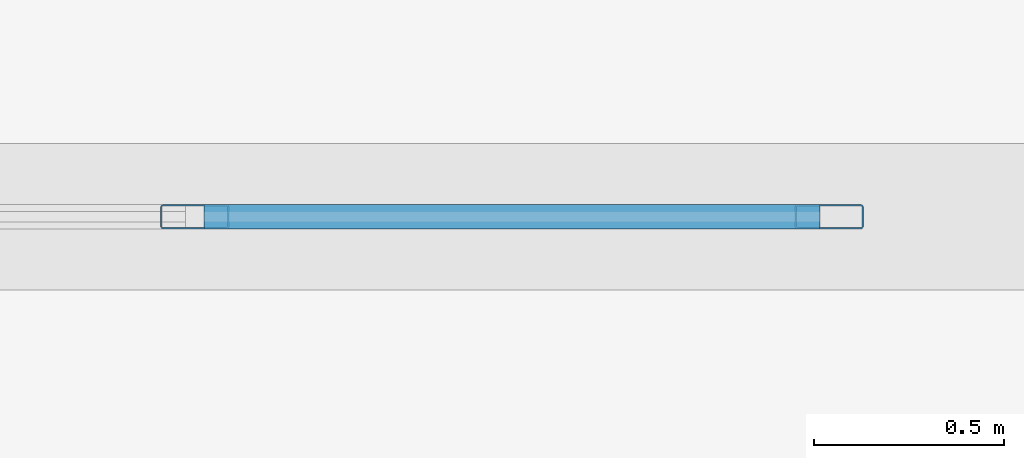
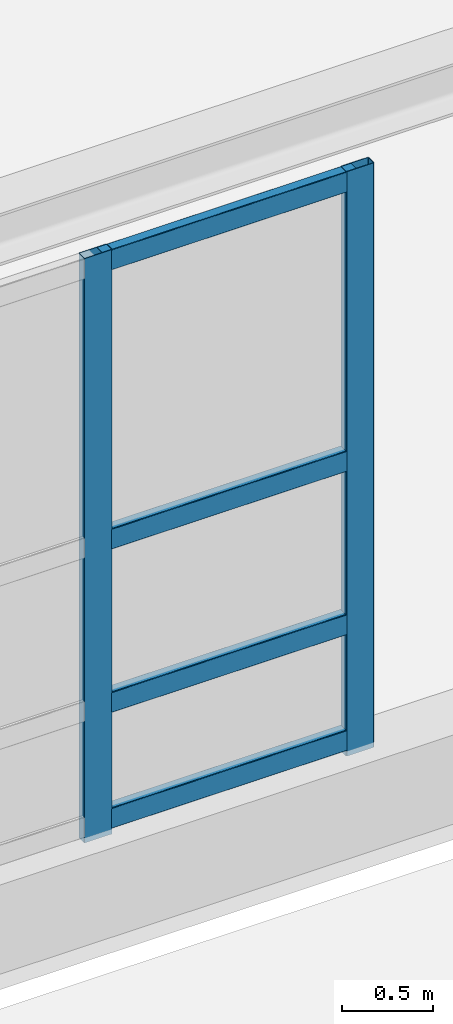
# One storey, part 59 of 197: 6 members, 1 element without a shape of its own.
"""IFC4 building model written with IfcOpenShell, lengths in metres."""

import ifcopenshell
import ifcopenshell.guid

model = None  # the IFC model being written
_history = None  # IfcOwnerHistory: only IFC2X3 demands one
_inside = {}  # id of a spatial element -> (the spatial element, [elements in it])
_under = {}  # id of a project, library or spatial element -> (it, [spatial elements below it])
_declared = {}  # id of a project -> (the project, [libraries it declares])
_typed = {}  # id of a type object -> (the type object, [elements of that type])
_made_of = {}  # id of a material, layer set ... -> (it, [elements and type objects made of it])


def new_model(schema):
    """Start an empty IFC model of exactly this schema.

    Asked for "IFC4X3", IfcOpenShell would pick the latest addendum, in which some entities
    have other attributes; the version numbers below select the first issue.
    IFC2X3 requires an IfcOwnerHistory on every rooted entity: one is made here for all.
    """
    global model, _history
    if schema == "IFC4X3":
        model = ifcopenshell.file(schema_version=(4, 3, 0, 0))
    else:
        model = ifcopenshell.file(schema=schema)
    _inside.clear()
    _under.clear()
    _declared.clear()
    _typed.clear()
    _made_of.clear()
    _history = None
    if model.schema == "IFC2X3":
        org = make("IfcOrganization", Name="unknown")
        user = make(
            "IfcPersonAndOrganization",
            ThePerson=make("IfcPerson", FamilyName="unknown"),
            TheOrganization=org,
        )
        app = make(
            "IfcApplication",
            ApplicationDeveloper=org,
            Version="unknown",
            ApplicationFullName="unknown",
            ApplicationIdentifier="unknown",
        )
        _history = make(
            "IfcOwnerHistory",
            OwningUser=user,
            OwningApplication=app,
            ChangeAction="ADDED",
            CreationDate=0,
        )
    return model


def make(cls, **values):
    """One entity of the class cls with the attributes given. An attribute that is None is left unset."""
    return model.create_entity(
        cls, **{name: value for name, value in values.items() if value is not None}
    )


def rooted(cls, **values):
    """An entity with a GlobalId (a new one), such as an element, a storey or a relation."""
    return make(cls, GlobalId=ifcopenshell.guid.new(), OwnerHistory=_history, **values)


def si_unit(unit_type, name, prefix=None):
    """IfcSIUnit, for example si_unit("LENGTHUNIT", "METRE", prefix="MILLI")."""
    return make("IfcSIUnit", UnitType=unit_type, Prefix=prefix, Name=name)


def derived_unit(unit_type, elements):
    """IfcDerivedUnit: a product of units, each with its exponent."""
    return make(
        "IfcDerivedUnit",
        Elements=[
            make("IfcDerivedUnitElement", Unit=unit, Exponent=power)
            for unit, power in elements
        ],
        UnitType=unit_type,
    )


def assignment(units):
    """IfcUnitAssignment: the units of a project."""
    return None if units is None else make("IfcUnitAssignment", Units=units)


def point(xyz):
    """IfcCartesianPoint."""
    return None if xyz is None else make("IfcCartesianPoint", Coordinates=xyz)


def direction(xyz):
    """IfcDirection."""
    return None if xyz is None else make("IfcDirection", DirectionRatios=xyz)


def frame(location, z_axis=None, x_axis=None):
    """IfcAxis2Placement3D, a coordinate frame: its origin and axes. An axis left out is left unset."""
    return make(
        "IfcAxis2Placement3D",
        Location=point(location),
        Axis=direction(z_axis),
        RefDirection=direction(x_axis),
    )


def frame_2d(location, x_axis=None):
    """IfcAxis2Placement2D, a coordinate frame in the plane: its origin and x axis."""
    return make(
        "IfcAxis2Placement2D", Location=point(location), RefDirection=direction(x_axis)
    )


def origin():
    """The frame at (0, 0, 0) with its axes left unset."""
    return frame((0.0, 0.0, 0.0))


def origin_2d():
    """The frame at (0, 0) in the plane with its x axis left unset."""
    return frame_2d((0.0, 0.0))


def place(relative_to, where):
    """IfcLocalPlacement: puts the frame where relative to a parent placement (None: the world)."""
    return make(
        "IfcLocalPlacement", PlacementRelTo=relative_to, RelativePlacement=where
    )


def context(
    kind, dimensions, precision=None, world=None, true_north=None, identifier=None
):
    """IfcGeometricRepresentationContext, for example the 3D "Model" context."""
    return make(
        "IfcGeometricRepresentationContext",
        ContextIdentifier=identifier,
        ContextType=kind,
        CoordinateSpaceDimension=dimensions,
        Precision=precision,
        WorldCoordinateSystem=world,
        TrueNorth=true_north,
    )


def subcontext(parent, identifier, kind, view, scale=None):
    """IfcGeometricRepresentationSubContext, for example "Body" below "Model"."""
    return make(
        "IfcGeometricRepresentationSubContext",
        ContextIdentifier=identifier,
        ContextType=kind,
        ParentContext=parent,
        TargetScale=scale,
        TargetView=view,
    )


def project(units=None, contexts=None):
    """IfcProject with its units and contexts."""
    return rooted(
        "IfcProject",
        Name="project",
        RepresentationContexts=contexts,
        UnitsInContext=assignment(units),
    )


def spatial(cls, under=None, at=None, **own):
    """A site, building, storey or space (cls), placed at a placement, below another one or the project."""
    s = rooted(cls, ObjectPlacement=at, **own)
    if under is not None:
        _under.setdefault(under.id(), (under, []))[1].append(s)
    return s


def profile(cls, at=None, kind="AREA", **sizes):
    """A parametric profile (cls). Its sizes go by their IFC names, for example OverallWidth=200.0."""
    return make(cls, ProfileType=kind, Position=at, **sizes)


def hollow_rectangle(**sizes):
    """IfcRectangleHollowProfileDef."""
    return profile("IfcRectangleHollowProfileDef", **sizes)


def extrude(swept, where, along, depth):
    """IfcExtrudedAreaSolid: the profile swept, set in the frame where, extruded along a direction by depth."""
    return make(
        "IfcExtrudedAreaSolid",
        SweptArea=swept,
        Position=where,
        ExtrudedDirection=direction(along),
        Depth=depth,
    )


def shape(context_of_items, identifier, shape_type, items):
    """IfcShapeRepresentation: the items that make up one representation, for example the "Body"."""
    return make(
        "IfcShapeRepresentation",
        ContextOfItems=context_of_items,
        RepresentationIdentifier=identifier,
        RepresentationType=shape_type,
        Items=items,
    )


def material(Name=None, Category=None):
    """IfcMaterial."""
    return make("IfcMaterial", Name=Name, Category=Category)


def layer(
    of_material, thickness, ventilated=None, Name=None, Category=None, Priority=None
):
    """IfcMaterialLayer: one layer of a wall or slab, of a material (None: an air gap)."""
    return make(
        "IfcMaterialLayer",
        Material=of_material,
        LayerThickness=thickness,
        IsVentilated=ventilated,
        Name=Name,
        Category=Category,
        Priority=Priority,
    )


def layer_set(layers, Name=None):
    """IfcMaterialLayerSet."""
    return make("IfcMaterialLayerSet", MaterialLayers=layers, LayerSetName=Name)


def material_profile(
    of_material, cross_section, Name=None, Category=None, Priority=None
):
    """IfcMaterialProfile: a cross section and its material."""
    return make(
        "IfcMaterialProfile",
        Name=Name,
        Material=of_material,
        Profile=cross_section,
        Priority=Priority,
        Category=Category,
    )


def profile_set(profiles, Name=None, composite=None):
    """IfcMaterialProfileSet."""
    return make(
        "IfcMaterialProfileSet",
        Name=Name,
        MaterialProfiles=profiles,
        CompositeProfile=composite,
    )


def made_of(thing, what):
    """Note that an element or type object is made of a material, layer set ...; save() writes the relation."""
    if what is not None:
        _made_of.setdefault(what.id(), (what, []))[1].append(thing)
    return thing


def type_object(cls, material=None, **own):
    """A type object (cls), such as IfcWallType, which elements share."""
    return made_of(rooted(cls, **own), material)


def element(
    cls,
    number,
    at=None,
    inside=None,
    cuts=None,
    type_object=None,
    material=None,
    context=None,
    identifier="Body",
    shape_type=None,
    held_by="IfcProductDefinitionShape",
    body=None,
    shapes=None,
    **own,
):
    """One element of the class cls, such as IfcWall. Its Tag is "e" and its number.

    at: its placement. inside: the storey or other place that contains it. cuts: it is an
    opening in that element (IfcRelVoidsElement). A single representation is given by context,
    identifier, shape_type and body (its items); several are given by shapes. held_by: the class
    of the entity that holds the representations. save() writes the other relations.
    """
    e = rooted(cls, Tag="e%d" % number, ObjectPlacement=at, **own)
    if body is not None:
        shapes = [shape(context, identifier, shape_type, body)]
    if shapes is not None:
        e.Representation = make(held_by, Representations=shapes)
    if inside is not None:
        _inside.setdefault(inside.id(), (inside, []))[1].append(e)
    if cuts is not None:
        rooted(
            "IfcRelVoidsElement", RelatingBuildingElement=cuts, RelatedOpeningElement=e
        )
    if type_object is not None:
        _typed.setdefault(type_object.id(), (type_object, []))[1].append(e)
    return made_of(e, material)


def aggregate(whole, parts):
    """IfcRelAggregates: a whole, such as a stair, and the parts it consists of."""
    return rooted("IfcRelAggregates", RelatingObject=whole, RelatedObjects=parts)


def save(model, path):
    """Write the relations noted so far, then the file.

    IfcRelAggregates (storeys below a building ...), IfcRelContainedInSpatialStructure (elements
    in a storey), IfcRelDefinesByType, IfcRelAssociatesMaterial and IfcRelDeclares: one each for
    every whole, place, type object, material and project.
    """
    for whole, parts in _under.values():
        aggregate(whole, parts)
    for where, things in _inside.values():
        rooted(
            "IfcRelContainedInSpatialStructure",
            RelatedElements=things,
            RelatingStructure=where,
        )
    for kind, things in _typed.values():
        rooted("IfcRelDefinesByType", RelatedObjects=things, RelatingType=kind)
    for what, things in _made_of.values():
        rooted("IfcRelAssociatesMaterial", RelatedObjects=things, RelatingMaterial=what)
    for by, libraries in _declared.values():
        rooted("IfcRelDeclares", RelatingContext=by, RelatedDefinitions=libraries)
    model.write(path)


model = new_model("IFC4")

# Units and contexts
model_context = context("Model", 3, precision=1e-05, world=origin(), true_north=direction((0.0, 1.0)))
body_context = subcontext(model_context, "Body", "Model", "MODEL_VIEW")
ifc_project = project(units=[si_unit("LENGTHUNIT", "METRE"), si_unit("AREAUNIT", "SQUARE_METRE"), si_unit("VOLUMEUNIT", "CUBIC_METRE"), si_unit("PLANEANGLEUNIT", "RADIAN"), si_unit("MASSUNIT", "GRAM", prefix="KILO"), derived_unit("THERMALTRANSMITTANCEUNIT", [(si_unit("POWERUNIT", "WATT"), 1), (si_unit("LENGTHUNIT", "METRE"), -2), (si_unit("THERMODYNAMICTEMPERATUREUNIT", "KELVIN"), -1)])], contexts=[model_context])

# Site, building, storey
site_placement = place(None, origin())
site = spatial("IfcSite", under=ifc_project, at=site_placement, CompositionType="ELEMENT")
building_placement = place(site_placement, origin())
building = spatial("IfcBuilding", under=site, at=building_placement, Name="Almenara Railside Exhibition Hall", CompositionType="ELEMENT")
storey_placement = place(building_placement, frame((0.0, 0.0, 5.39990234375)))
storey = spatial("IfcBuildingStorey", under=building, at=storey_placement, Name="L01", CompositionType="ELEMENT", Elevation=5.39990234375)

# Curtain wall, members
ifc_material_1 = material(Name="Bronze-anodised aluminium and low-E double glazing", Category="aluminium")
ifc_layer = layer(ifc_material_1, 0.179931640625, Name="Bronze-anodised aluminium and low-E double glazing")
ifc_layer_set = layer_set([ifc_layer], Name="Bronze-anodised aluminium and low-E double glazing")
curtain_wall_type = type_object("IfcCurtainWallType", Name="Concourse Upper Portale Curtain Wall 3400x3900", PredefinedType="NOTDEFINED", material=ifc_layer_set)
curtain_wall_placement = place(storey_placement, origin())
curtain_wall = element("IfcCurtainWall", 1, at=curtain_wall_placement, inside=storey, type_object=curtain_wall_type, Name="Curtain wall CW-PC2-136", PredefinedType="NOTDEFINED")
ifc_material_2 = material(Name="Bronze-anodised aluminium", Category="aluminium")
ifc_material_profile_1 = material_profile(ifc_material_2, hollow_rectangle(XDim=0.06494140625, YDim=0.179931640625, WallThickness=0.00390625, InnerFilletRadius=0.00390625, OuterFilletRadius=0.008056640625, at=origin_2d()), Name="ALU-MUL 65x180x4")
ifc_profile_set_1 = profile_set([ifc_material_profile_1], Name="Bronze-anodised aluminium")
member_type_1 = type_object("IfcMemberType", Name="Curtain Wall Mullion 65x180x4", PredefinedType="MULLION", material=ifc_profile_set_1)
member_1_placement = place(storey_placement, frame((110.699951171875, 36.0, 0.565185546875), z_axis=(0.0, 0.0, 1.0), x_axis=(0.0, 1.0, 0.0)))
member_1 = element("IfcMember", 2, at=member_1_placement, type_object=member_type_1, Name="CW-PC2-136 mullion 2", PredefinedType="MULLION", context=body_context, shape_type="SweptSolid", body=[
    extrude(hollow_rectangle(XDim=0.06494140625, YDim=0.179931640625, WallThickness=0.00390625, InnerFilletRadius=0.00390625, OuterFilletRadius=0.008056640625, at=origin_2d()), origin(), (0.0, 0.0, 1.0), 3.934814453125),
])
member_2_placement = place(storey_placement, frame((112.367431640625, 36.0, 0.565185546875), z_axis=(0.0, 0.0, 1.0), x_axis=(0.0, 1.0, 0.0)))
member_2 = element("IfcMember", 3, at=member_2_placement, type_object=member_type_1, Name="CW-PC2-136 mullion 3", PredefinedType="MULLION", context=body_context, shape_type="SweptSolid", body=[
    extrude(hollow_rectangle(XDim=0.06494140625, YDim=0.179931640625, WallThickness=0.00390625, InnerFilletRadius=0.00390625, OuterFilletRadius=0.008056640625, at=origin_2d()), origin(), (0.0, 0.0, 1.0), 3.934814453125),
])
ifc_material_profile_2 = material_profile(ifc_material_2, hollow_rectangle(XDim=0.06494140625, YDim=0.139892578125, WallThickness=0.00341796875, InnerFilletRadius=0.00341796875, OuterFilletRadius=0.007080078125, at=origin_2d()), Name="ALU-TRN 65x140x3.5")
ifc_profile_set_2 = profile_set([ifc_material_profile_2], Name="Bronze-anodised aluminium")
member_type_2 = type_object("IfcMemberType", Name="Curtain Wall Transom 65x140x3.5", PredefinedType="USERDEFINED", material=ifc_profile_set_2)
member_3_placement = place(storey_placement, frame((110.724609375, 36.0, 0.670166015625), z_axis=(1.0, 0.0, 0.0), x_axis=(0.0, 1.0, 0.0)))
member_3 = element("IfcMember", 4, at=member_3_placement, type_object=member_type_2, Name="CW-PC2-136 transom 2.1", ObjectType="TRANSOM", PredefinedType="USERDEFINED", context=body_context, shape_type="SweptSolid", body=[
    extrude(hollow_rectangle(XDim=0.06494140625, YDim=0.139892578125, WallThickness=0.00341796875, InnerFilletRadius=0.00341796875, OuterFilletRadius=0.007080078125, at=origin_2d()), origin(), (0.0, 0.0, 1.0), 1.618408203125),
])
member_4_placement = place(storey_placement, frame((110.724609375, 36.0, 1.4501953125), z_axis=(1.0, 0.0, 0.0), x_axis=(0.0, 1.0, 0.0)))
member_4 = element("IfcMember", 5, at=member_4_placement, type_object=member_type_2, Name="CW-PC2-136 transom 2.2", ObjectType="TRANSOM", PredefinedType="USERDEFINED", context=body_context, shape_type="SweptSolid", body=[
    extrude(hollow_rectangle(XDim=0.06494140625, YDim=0.139892578125, WallThickness=0.00341796875, InnerFilletRadius=0.00341796875, OuterFilletRadius=0.007080078125, at=origin_2d()), origin(), (0.0, 0.0, 1.0), 1.618408203125),
])
member_5_placement = place(storey_placement, frame((110.724609375, 36.0, 2.550048828125), z_axis=(1.0, 0.0, 0.0), x_axis=(0.0, 1.0, 0.0)))
member_5 = element("IfcMember", 6, at=member_5_placement, type_object=member_type_2, Name="CW-PC2-136 transom 2.3", ObjectType="TRANSOM", PredefinedType="USERDEFINED", context=body_context, shape_type="SweptSolid", body=[
    extrude(hollow_rectangle(XDim=0.06494140625, YDim=0.139892578125, WallThickness=0.00341796875, InnerFilletRadius=0.00341796875, OuterFilletRadius=0.007080078125, at=origin_2d()), origin(), (0.0, 0.0, 1.0), 1.618408203125),
])
member_6_placement = place(storey_placement, frame((110.724609375, 36.0, 4.43017578125), z_axis=(1.0, 0.0, 0.0), x_axis=(0.0, 1.0, 0.0)))
member_6 = element("IfcMember", 7, at=member_6_placement, type_object=member_type_2, Name="CW-PC2-136 transom 2.4", ObjectType="TRANSOM", PredefinedType="USERDEFINED", context=body_context, shape_type="SweptSolid", body=[
    extrude(hollow_rectangle(XDim=0.06494140625, YDim=0.139892578125, WallThickness=0.00341796875, InnerFilletRadius=0.00341796875, OuterFilletRadius=0.007080078125, at=origin_2d()), origin(), (0.0, 0.0, 1.0), 1.618408203125),
])
aggregate(curtain_wall, [member_1, member_2, member_3, member_4, member_5, member_6])

save(model, "model.ifc")
